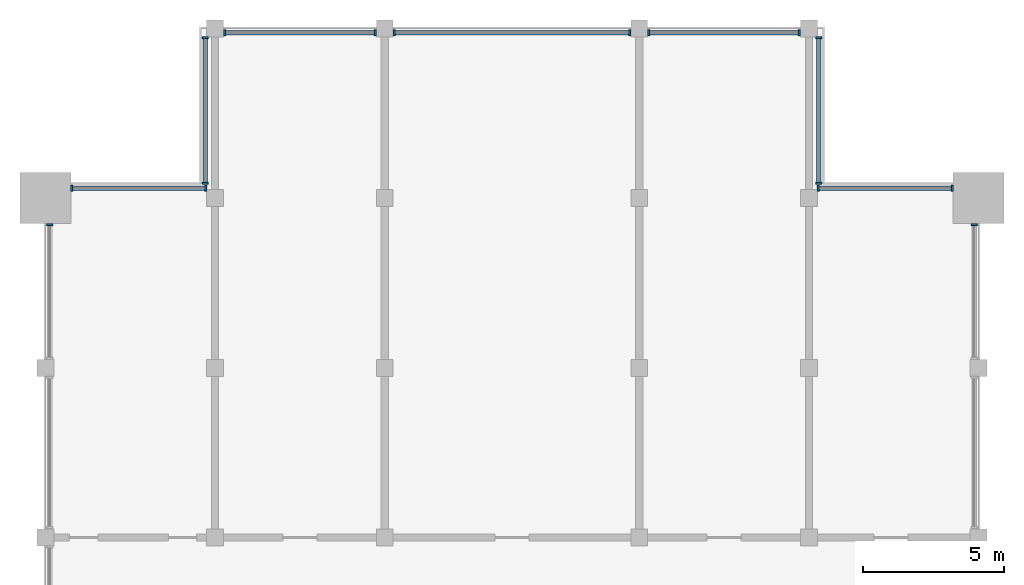
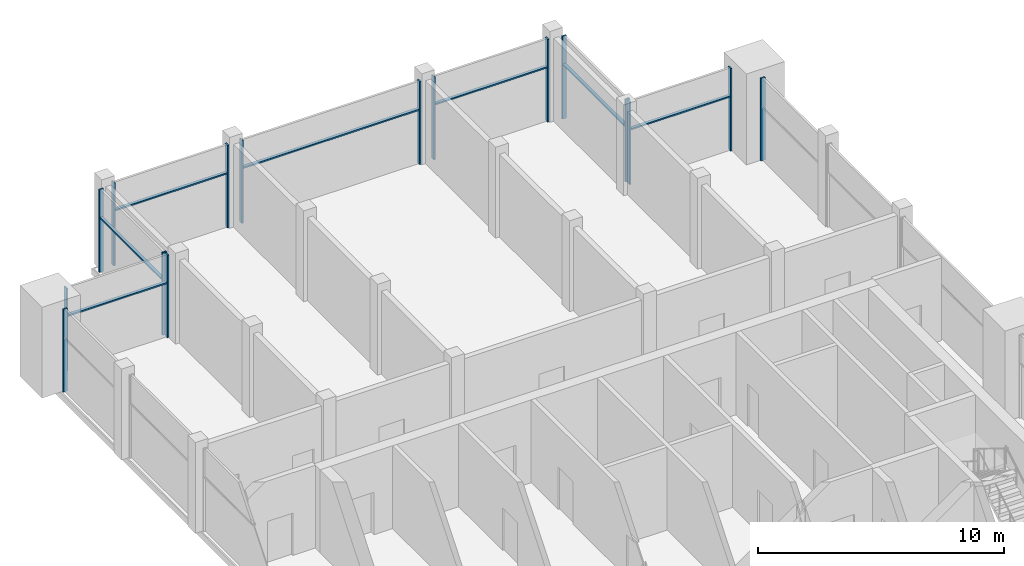
# One storey, part 5 of 9: 23 members, 9 elements without a shape of their own.
"""IFC4 building model written with IfcOpenShell, lengths in metres."""

from ifc_helpers import new_model, si_unit, direction, frame, origin, origin_2d, place, context, subcontext, project, spatial, rectangle, extrude, material, material_profile, profile_set, type_object, element, aggregate, save


model = new_model("IFC4")

# Units and contexts
model_context = context("Model", 3, precision=1e-05, world=origin(), true_north=direction((0.0, 1.0)))
body_context = subcontext(model_context, "Body", "Model", "MODEL_VIEW")
ifc_project = project(units=[si_unit("LENGTHUNIT", "METRE"), si_unit("AREAUNIT", "SQUARE_METRE"), si_unit("VOLUMEUNIT", "CUBIC_METRE"), si_unit("PLANEANGLEUNIT", "RADIAN"), si_unit("MASSUNIT", "GRAM", prefix="KILO")], contexts=[model_context])

# Site, building, storey
site_placement = place(None, origin())
site = spatial("IfcSite", under=ifc_project, at=site_placement, CompositionType="ELEMENT")
building_placement = place(site_placement, origin())
building = spatial("IfcBuilding", under=site, at=building_placement, Name="Finial Court Residences", CompositionType="ELEMENT")
storey_placement = place(building_placement, frame((0.0, 0.0, 307.699951171875)))
storey = spatial("IfcBuildingStorey", under=building, at=storey_placement, Name="L78", CompositionType="ELEMENT", Elevation=307.699951171875)

# Curtain wall, members
ifc_material = material(Name="Bronze anodised aluminium", Category="aluminium")
curtain_wall_type = type_object("IfcCurtainWallType", Name="Crown lantern glazing", PredefinedType="NOTDEFINED", material=ifc_material)
curtain_wall_1_placement = place(storey_placement, origin())
curtain_wall_1 = element("IfcCurtainWall", 1, at=curtain_wall_1_placement, inside=storey, type_object=curtain_wall_type, Name="E-L78-CW-N1c1", PredefinedType="NOTDEFINED")
ifc_material_profile_1 = material_profile(ifc_material, rectangle(XDim=0.199951171875, YDim=0.070068359375, at=origin_2d()), Name="CW6 mullion 70 x 200")
ifc_profile_set_1 = profile_set([ifc_material_profile_1], Name="Bronze anodised aluminium")
member_type_1 = type_object("IfcMemberType", Name="CW6 mullion 70 x 200", PredefinedType="MULLION", material=ifc_profile_set_1)
member_1_placement = place(storey_placement, frame((-10.1650390625, 13.35009765625, 0.0), z_axis=(0.0, 0.0, 1.0), x_axis=(0.0, 1.0, 0.0)))
member_1 = element("IfcMember", 2, at=member_1_placement, type_object=member_type_1, Name="CW6 mullion 1", PredefinedType="MULLION", context=body_context, shape_type="SweptSolid", body=[
    extrude(rectangle(XDim=0.199951171875, YDim=0.070068359375, at=origin_2d()), origin(), (0.0, 0.0, 1.0), 4.10009765625),
])
member_2_placement = place(storey_placement, frame((-4.8349609375, 13.35009765625, 0.0), z_axis=(0.0, 0.0, 1.0), x_axis=(0.0, 1.0, 0.0)))
member_2 = element("IfcMember", 3, at=member_2_placement, type_object=member_type_1, Name="CW6 mullion 2", PredefinedType="MULLION", context=body_context, shape_type="SweptSolid", body=[
    extrude(rectangle(XDim=0.199951171875, YDim=0.070068359375, at=origin_2d()), origin(), (0.0, 0.0, 1.0), 4.10009765625),
])

curtain_wall_2_placement = place(storey_placement, origin())
curtain_wall_2 = element("IfcCurtainWall", 4, at=curtain_wall_2_placement, inside=storey, type_object=curtain_wall_type, Name="E-L78-CW-N1c2", PredefinedType="NOTDEFINED")
member_3_placement = place(storey_placement, frame((-4.1650390625, 13.35009765625, 0.0), z_axis=(0.0, 0.0, 1.0), x_axis=(0.0, 1.0, 0.0)))
member_3 = element("IfcMember", 5, at=member_3_placement, type_object=member_type_1, Name="CW6 mullion 1", PredefinedType="MULLION", context=body_context, shape_type="SweptSolid", body=[
    extrude(rectangle(XDim=0.199951171875, YDim=0.070068359375, at=origin_2d()), origin(), (0.0, 0.0, 1.0), 4.10009765625),
])
member_4_placement = place(storey_placement, frame((4.1650390625, 13.35009765625, 0.0), z_axis=(0.0, 0.0, 1.0), x_axis=(0.0, 1.0, 0.0)))
member_4 = element("IfcMember", 6, at=member_4_placement, type_object=member_type_1, Name="CW6 mullion 2", PredefinedType="MULLION", context=body_context, shape_type="SweptSolid", body=[
    extrude(rectangle(XDim=0.199951171875, YDim=0.070068359375, at=origin_2d()), origin(), (0.0, 0.0, 1.0), 4.10009765625),
])

curtain_wall_3_placement = place(storey_placement, origin())
curtain_wall_3 = element("IfcCurtainWall", 7, at=curtain_wall_3_placement, inside=storey, type_object=curtain_wall_type, Name="E-L78-CW-N1c3", PredefinedType="NOTDEFINED")
member_5_placement = place(storey_placement, frame((4.8349609375, 13.35009765625, 0.0), z_axis=(0.0, 0.0, 1.0), x_axis=(0.0, 1.0, 0.0)))
member_5 = element("IfcMember", 8, at=member_5_placement, type_object=member_type_1, Name="CW6 mullion 1", PredefinedType="MULLION", context=body_context, shape_type="SweptSolid", body=[
    extrude(rectangle(XDim=0.199951171875, YDim=0.070068359375, at=origin_2d()), origin(), (0.0, 0.0, 1.0), 4.10009765625),
])
member_6_placement = place(storey_placement, frame((10.1650390625, 13.35009765625, 0.0), z_axis=(0.0, 0.0, 1.0), x_axis=(0.0, 1.0, 0.0)))
member_6 = element("IfcMember", 9, at=member_6_placement, type_object=member_type_1, Name="CW6 mullion 2", PredefinedType="MULLION", context=body_context, shape_type="SweptSolid", body=[
    extrude(rectangle(XDim=0.199951171875, YDim=0.070068359375, at=origin_2d()), origin(), (0.0, 0.0, 1.0), 4.10009765625),
])

# Curtain wall, member
curtain_wall_4_placement = place(storey_placement, origin())
curtain_wall_4 = element("IfcCurtainWall", 10, at=curtain_wall_4_placement, inside=storey, type_object=curtain_wall_type, Name="E-L78-CW-E2c4", PredefinedType="NOTDEFINED")
member_7_placement = place(storey_placement, frame((16.35009765625, 6.56494140625, 0.0), z_axis=(0.0, 0.0, 1.0), x_axis=(-1.0, 0.0, 0.0)))
member_7 = element("IfcMember", 11, at=member_7_placement, type_object=member_type_1, Name="CW6 mullion 2", PredefinedType="MULLION", context=body_context, shape_type="SweptSolid", body=[
    extrude(rectangle(XDim=0.199951171875, YDim=0.070068359375, at=origin_2d()), origin(), (0.0, 0.0, 1.0), 4.10009765625),
])
aggregate(curtain_wall_4, [member_7])

curtain_wall_5_placement = place(storey_placement, origin())
curtain_wall_5 = element("IfcCurtainWall", 12, at=curtain_wall_5_placement, inside=storey, type_object=curtain_wall_type, Name="E-L78-CW-W5c4", PredefinedType="NOTDEFINED")
member_8_placement = place(storey_placement, frame((-16.35009765625, 6.56494140625, 0.0), z_axis=(0.0, 0.0, 1.0), x_axis=(-1.0, 0.0, 0.0)))
member_8 = element("IfcMember", 13, at=member_8_placement, type_object=member_type_1, Name="CW6 mullion 2", PredefinedType="MULLION", context=body_context, shape_type="SweptSolid", body=[
    extrude(rectangle(XDim=0.199951171875, YDim=0.070068359375, at=origin_2d()), origin(), (0.0, 0.0, 1.0), 4.10009765625),
])
aggregate(curtain_wall_5, [member_8])

# Curtain wall, members
curtain_wall_6_placement = place(storey_placement, origin())
curtain_wall_6 = element("IfcCurtainWall", 14, at=curtain_wall_6_placement, inside=storey, type_object=curtain_wall_type, Name="E-L78-CW-W6nc1", PredefinedType="NOTDEFINED")
member_9_placement = place(storey_placement, frame((-10.85009765625, 8.034912109375, 0.0), z_axis=(0.0, 0.0, 1.0), x_axis=(-1.0, 0.0, 0.0)))
member_9 = element("IfcMember", 15, at=member_9_placement, type_object=member_type_1, Name="CW6 mullion 1", PredefinedType="MULLION", context=body_context, shape_type="SweptSolid", body=[
    extrude(rectangle(XDim=0.199951171875, YDim=0.070068359375, at=origin_2d()), origin(), (0.0, 0.0, 1.0), 4.10009765625),
])
member_10_placement = place(storey_placement, frame((-10.85009765625, 13.1650390625, 0.0), z_axis=(0.0, 0.0, 1.0), x_axis=(-1.0, 0.0, 0.0)))
member_10 = element("IfcMember", 16, at=member_10_placement, type_object=member_type_1, Name="CW6 mullion 2", PredefinedType="MULLION", context=body_context, shape_type="SweptSolid", body=[
    extrude(rectangle(XDim=0.199951171875, YDim=0.070068359375, at=origin_2d()), origin(), (0.0, 0.0, 1.0), 4.10009765625),
])

curtain_wall_7_placement = place(storey_placement, origin())
curtain_wall_7 = element("IfcCurtainWall", 17, at=curtain_wall_7_placement, inside=storey, type_object=curtain_wall_type, Name="E-L78-CW-N7nc1", PredefinedType="NOTDEFINED")
member_11_placement = place(storey_placement, frame((-15.56494140625, 7.85009765625, 0.0), z_axis=(0.0, 0.0, 1.0), x_axis=(0.0, 1.0, 0.0)))
member_11 = element("IfcMember", 18, at=member_11_placement, type_object=member_type_1, Name="CW6 mullion 1", PredefinedType="MULLION", context=body_context, shape_type="SweptSolid", body=[
    extrude(rectangle(XDim=0.199951171875, YDim=0.070068359375, at=origin_2d()), origin(), (0.0, 0.0, 1.0), 4.10009765625),
])
member_12_placement = place(storey_placement, frame((-10.8349609375, 7.85009765625, 0.0), z_axis=(0.0, 0.0, 1.0), x_axis=(0.0, 1.0, 0.0)))
member_12 = element("IfcMember", 19, at=member_12_placement, type_object=member_type_1, Name="CW6 mullion 2", PredefinedType="MULLION", context=body_context, shape_type="SweptSolid", body=[
    extrude(rectangle(XDim=0.199951171875, YDim=0.070068359375, at=origin_2d()), origin(), (0.0, 0.0, 1.0), 4.10009765625),
])

curtain_wall_8_placement = place(storey_placement, origin())
curtain_wall_8 = element("IfcCurtainWall", 20, at=curtain_wall_8_placement, inside=storey, type_object=curtain_wall_type, Name="E-L78-CW-E8nc1", PredefinedType="NOTDEFINED")
member_13_placement = place(storey_placement, frame((10.85009765625, 8.034912109375, 0.0), z_axis=(0.0, 0.0, 1.0), x_axis=(-1.0, 0.0, 0.0)))
member_13 = element("IfcMember", 21, at=member_13_placement, type_object=member_type_1, Name="CW6 mullion 1", PredefinedType="MULLION", context=body_context, shape_type="SweptSolid", body=[
    extrude(rectangle(XDim=0.199951171875, YDim=0.070068359375, at=origin_2d()), origin(), (0.0, 0.0, 1.0), 4.10009765625),
])
member_14_placement = place(storey_placement, frame((10.85009765625, 13.1650390625, 0.0), z_axis=(0.0, 0.0, 1.0), x_axis=(-1.0, 0.0, 0.0)))
member_14 = element("IfcMember", 22, at=member_14_placement, type_object=member_type_1, Name="CW6 mullion 2", PredefinedType="MULLION", context=body_context, shape_type="SweptSolid", body=[
    extrude(rectangle(XDim=0.199951171875, YDim=0.070068359375, at=origin_2d()), origin(), (0.0, 0.0, 1.0), 4.10009765625),
])

curtain_wall_9_placement = place(storey_placement, origin())
curtain_wall_9 = element("IfcCurtainWall", 23, at=curtain_wall_9_placement, inside=storey, type_object=curtain_wall_type, Name="E-L78-CW-N9nc1", PredefinedType="NOTDEFINED")
member_15_placement = place(storey_placement, frame((10.8349609375, 7.85009765625, 0.0), z_axis=(0.0, 0.0, 1.0), x_axis=(0.0, 1.0, 0.0)))
member_15 = element("IfcMember", 24, at=member_15_placement, type_object=member_type_1, Name="CW6 mullion 1", PredefinedType="MULLION", context=body_context, shape_type="SweptSolid", body=[
    extrude(rectangle(XDim=0.199951171875, YDim=0.070068359375, at=origin_2d()), origin(), (0.0, 0.0, 1.0), 4.10009765625),
])
member_16_placement = place(storey_placement, frame((15.56494140625, 7.85009765625, 0.0), z_axis=(0.0, 0.0, 1.0), x_axis=(0.0, 1.0, 0.0)))
member_16 = element("IfcMember", 25, at=member_16_placement, type_object=member_type_1, Name="CW6 mullion 2", PredefinedType="MULLION", context=body_context, shape_type="SweptSolid", body=[
    extrude(rectangle(XDim=0.199951171875, YDim=0.070068359375, at=origin_2d()), origin(), (0.0, 0.0, 1.0), 4.10009765625),
])

# Member
ifc_material_profile_2 = material_profile(ifc_material, rectangle(XDim=0.14990234375, YDim=0.070068359375, at=origin_2d()), Name="CW6 transom 70 x 150")
ifc_profile_set_2 = profile_set([ifc_material_profile_2], Name="Bronze anodised aluminium")
member_type_2 = type_object("IfcMemberType", Name="CW6 transom 70 x 150", PredefinedType="USERDEFINED", material=ifc_profile_set_2)
member_17_placement = place(storey_placement, frame((-10.1298828125, 13.35009765625, 2.699951171875), z_axis=(1.0, 0.0, 0.0), x_axis=(0.0, 1.0, 0.0)))
member_17 = element("IfcMember", 26, at=member_17_placement, type_object=member_type_2, Name="CW6 transom 1.1", ObjectType="TRANSOM", PredefinedType="USERDEFINED", context=body_context, shape_type="SweptSolid", body=[
    extrude(rectangle(XDim=0.14990234375, YDim=0.070068359375, at=origin_2d()), origin(), (0.0, 0.0, 1.0), 5.259765625),
])

aggregate(curtain_wall_1, [member_1, member_2, member_17])

member_18_placement = place(storey_placement, frame((-4.1298828125, 13.35009765625, 2.699951171875), z_axis=(1.0, 0.0, 0.0), x_axis=(0.0, 1.0, 0.0)))
member_18 = element("IfcMember", 27, at=member_18_placement, type_object=member_type_2, Name="CW6 transom 1.1", ObjectType="TRANSOM", PredefinedType="USERDEFINED", context=body_context, shape_type="SweptSolid", body=[
    extrude(rectangle(XDim=0.14990234375, YDim=0.070068359375, at=origin_2d()), origin(), (0.0, 0.0, 1.0), 8.259765625),
])

aggregate(curtain_wall_2, [member_3, member_4, member_18])

member_19_placement = place(storey_placement, frame((4.8701171875, 13.35009765625, 2.699951171875), z_axis=(1.0, 0.0, 0.0), x_axis=(0.0, 1.0, 0.0)))
member_19 = element("IfcMember", 28, at=member_19_placement, type_object=member_type_2, Name="CW6 transom 1.1", ObjectType="TRANSOM", PredefinedType="USERDEFINED", context=body_context, shape_type="SweptSolid", body=[
    extrude(rectangle(XDim=0.14990234375, YDim=0.070068359375, at=origin_2d()), origin(), (0.0, 0.0, 1.0), 5.259765625),
])

aggregate(curtain_wall_3, [member_5, member_6, member_19])

member_20_placement = place(storey_placement, frame((-10.85009765625, 8.070068359375, 2.699951171875), z_axis=(0.0, 1.0, 0.0), x_axis=(-1.0, 0.0, 0.0)))
member_20 = element("IfcMember", 29, at=member_20_placement, type_object=member_type_2, Name="CW6 transom 1.1", ObjectType="TRANSOM", PredefinedType="USERDEFINED", context=body_context, shape_type="SweptSolid", body=[
    extrude(rectangle(XDim=0.14990234375, YDim=0.070068359375, at=origin_2d()), origin(), (0.0, 0.0, 1.0), 5.059814453125),
])

aggregate(curtain_wall_6, [member_9, member_10, member_20])

member_21_placement = place(storey_placement, frame((-15.530029296875, 7.85009765625, 2.699951171875), z_axis=(1.0, 0.0, 0.0), x_axis=(0.0, 1.0, 0.0)))
member_21 = element("IfcMember", 30, at=member_21_placement, type_object=member_type_2, Name="CW6 transom 1.1", ObjectType="TRANSOM", PredefinedType="USERDEFINED", context=body_context, shape_type="SweptSolid", body=[
    extrude(rectangle(XDim=0.14990234375, YDim=0.070068359375, at=origin_2d()), origin(), (0.0, 0.0, 1.0), 4.659912109375),
])

aggregate(curtain_wall_7, [member_11, member_12, member_21])

member_22_placement = place(storey_placement, frame((10.85009765625, 8.070068359375, 2.699951171875), z_axis=(0.0, 1.0, 0.0), x_axis=(-1.0, 0.0, 0.0)))
member_22 = element("IfcMember", 31, at=member_22_placement, type_object=member_type_2, Name="CW6 transom 1.1", ObjectType="TRANSOM", PredefinedType="USERDEFINED", context=body_context, shape_type="SweptSolid", body=[
    extrude(rectangle(XDim=0.14990234375, YDim=0.070068359375, at=origin_2d()), origin(), (0.0, 0.0, 1.0), 5.059814453125),
])

aggregate(curtain_wall_8, [member_13, member_14, member_22])

member_23_placement = place(storey_placement, frame((10.8701171875, 7.85009765625, 2.699951171875), z_axis=(1.0, 0.0, 0.0), x_axis=(0.0, 1.0, 0.0)))
member_23 = element("IfcMember", 32, at=member_23_placement, type_object=member_type_2, Name="CW6 transom 1.1", ObjectType="TRANSOM", PredefinedType="USERDEFINED", context=body_context, shape_type="SweptSolid", body=[
    extrude(rectangle(XDim=0.14990234375, YDim=0.070068359375, at=origin_2d()), origin(), (0.0, 0.0, 1.0), 4.659912109375),
])

aggregate(curtain_wall_9, [member_15, member_16, member_23])

save(model, "model.ifc")
